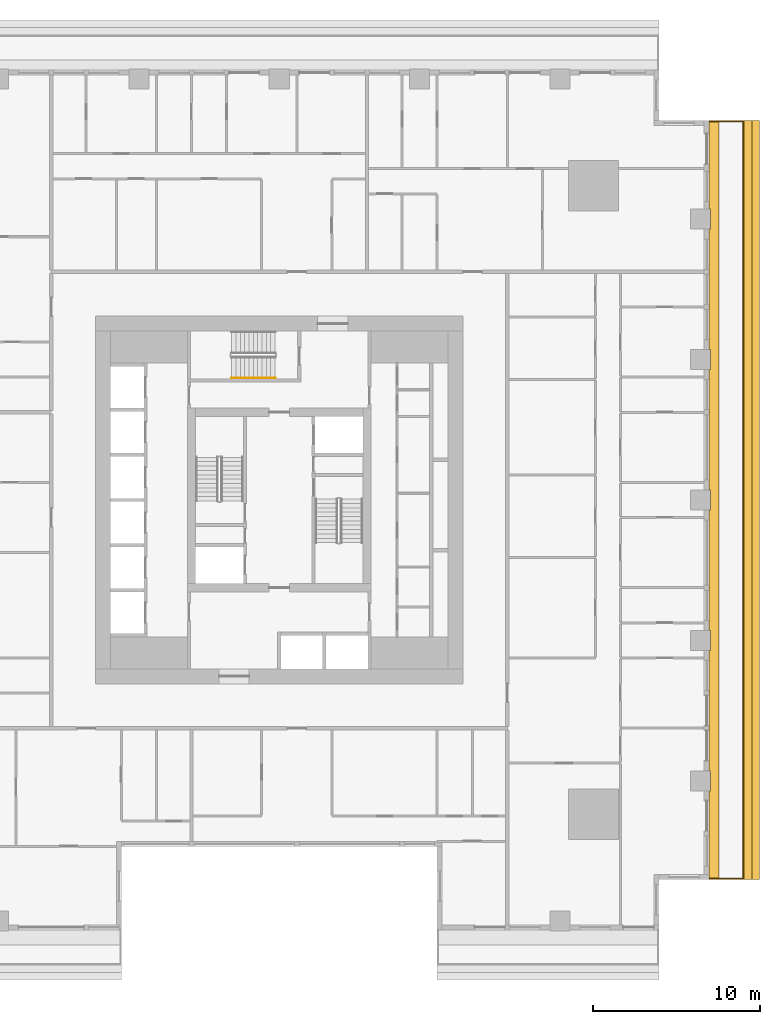
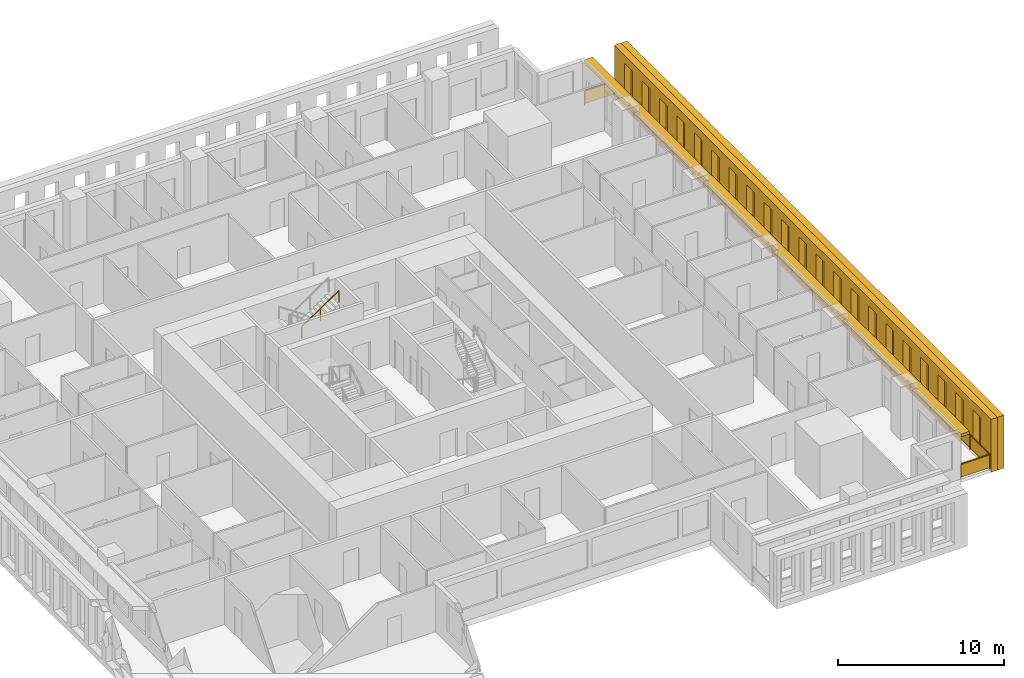
# One storey, part 13 of 15: 3 shading devices, 2 railings.
"""IFC4 building model written with IfcOpenShell, lengths in metres."""

from ifc_helpers import new_model, si_unit, direction, frame, origin, origin_2d, place, context, subcontext, project, spatial, polyline, rectangle, outline, extrude, material, layer, layer_set, type_object, element, save


model = new_model("IFC4")

# Units and contexts
model_context = context("Model", 3, precision=1e-05, world=origin(), true_north=direction((0.0, 1.0)))
body_context = subcontext(model_context, "Body", "Model", "MODEL_VIEW")
ifc_project = project(units=[si_unit("LENGTHUNIT", "METRE"), si_unit("AREAUNIT", "SQUARE_METRE"), si_unit("VOLUMEUNIT", "CUBIC_METRE"), si_unit("PLANEANGLEUNIT", "RADIAN"), si_unit("MASSUNIT", "GRAM", prefix="KILO")], contexts=[model_context])

# Site, building, storey
site_placement = place(None, origin())
site = spatial("IfcSite", under=ifc_project, at=site_placement, CompositionType="ELEMENT")
building_placement = place(site_placement, origin())
building = spatial("IfcBuilding", under=site, at=building_placement, Name="Khepri Terraces", CompositionType="ELEMENT")
storey_placement = place(building_placement, frame((0.0, 0.0, 54.300048828125)))
storey = spatial("IfcBuildingStorey", under=building, at=storey_placement, Name="L12", CompositionType="ELEMENT", Elevation=54.300048828125)

# Railings
ifc_material_1 = material(Name="Stainless steel grade 316", Category="steel")
railing_type_1 = type_object("IfcRailingType", Name="GRD-BAL-1100", PredefinedType="GUARDRAIL", material=ifc_material_1)
railing_1_placement = place(storey_placement, frame((25.719970703125, -22.669921875, 0.0)))
element("IfcRailing", 1, at=railing_1_placement, inside=storey, type_object=railing_type_1, Name="Balcony guard L12 E", PredefinedType="GUARDRAIL", context=body_context, shape_type="SweptSolid", body=[
    extrude(rectangle(XDim=0.050048828125, YDim=0.06005859375, at=origin_2d()), frame((0.0, 0.0, 1.070068359375), z_axis=(1.0, 0.0, 0.0), x_axis=(0.0, 1.0, 0.0)), (0.0, 0.0, 1.0), 2.050048828125),
    extrude(rectangle(XDim=2.0, YDim=0.011962890625, at=origin_2d()), frame((1.02490234375, 0.0, 0.10009765625), z_axis=(0.0, 0.0, 1.0), x_axis=(1.0, 0.0, 0.0)), (0.0, 0.0, 1.0), 0.93994140625),
    extrude(rectangle(XDim=0.050048828125, YDim=0.06005859375, at=origin_2d()), frame((2.050048828125, 0.0, 1.070068359375), z_axis=(0.0, 1.0, 0.0), x_axis=(-1.0, 0.0, 0.0)), (0.0, 0.0, 1.0), 45.33984375),
    extrude(rectangle(XDim=2.336181640625, YDim=0.011962890625, at=origin_2d()), frame((2.050048828125, 1.193115234375, 0.10009765625), z_axis=(0.0, 0.0, 1.0), x_axis=(0.0, 1.0, 0.0)), (0.0, 0.0, 1.0), 0.93994140625),
    extrude(rectangle(XDim=2.336181640625, YDim=0.011962890625, at=origin_2d()), frame((2.050048828125, 3.579345703125, 0.10009765625), z_axis=(0.0, 0.0, 1.0), x_axis=(0.0, 1.0, 0.0)), (0.0, 0.0, 1.0), 0.93994140625),
    extrude(rectangle(XDim=2.336181640625, YDim=0.011962890625, at=origin_2d()), frame((2.050048828125, 5.9658203125, 0.10009765625), z_axis=(0.0, 0.0, 1.0), x_axis=(0.0, 1.0, 0.0)), (0.0, 0.0, 1.0), 0.93994140625),
    extrude(rectangle(XDim=2.336181640625, YDim=0.011962890625, at=origin_2d()), frame((2.050048828125, 8.35205078125, 0.10009765625), z_axis=(0.0, 0.0, 1.0), x_axis=(0.0, 1.0, 0.0)), (0.0, 0.0, 1.0), 0.93994140625),
    extrude(rectangle(XDim=2.336181640625, YDim=0.011962890625, at=origin_2d()), frame((2.050048828125, 10.73828125, 0.10009765625), z_axis=(0.0, 0.0, 1.0), x_axis=(0.0, 1.0, 0.0)), (0.0, 0.0, 1.0), 0.93994140625),
    extrude(rectangle(XDim=2.336181640625, YDim=0.011962890625, at=origin_2d()), frame((2.050048828125, 13.124755859375, 0.10009765625), z_axis=(0.0, 0.0, 1.0), x_axis=(0.0, 1.0, 0.0)), (0.0, 0.0, 1.0), 0.93994140625),
    extrude(rectangle(XDim=2.336181640625, YDim=0.011962890625, at=origin_2d()), frame((2.050048828125, 15.510986328125, 0.10009765625), z_axis=(0.0, 0.0, 1.0), x_axis=(0.0, 1.0, 0.0)), (0.0, 0.0, 1.0), 0.93994140625),
    extrude(rectangle(XDim=2.336181640625, YDim=0.011962890625, at=origin_2d()), frame((2.050048828125, 17.897216796875, 0.10009765625), z_axis=(0.0, 0.0, 1.0), x_axis=(0.0, 1.0, 0.0)), (0.0, 0.0, 1.0), 0.93994140625),
    extrude(rectangle(XDim=2.336181640625, YDim=0.011962890625, at=origin_2d()), frame((2.050048828125, 20.28369140625, 0.10009765625), z_axis=(0.0, 0.0, 1.0), x_axis=(0.0, 1.0, 0.0)), (0.0, 0.0, 1.0), 0.93994140625),
    extrude(rectangle(XDim=2.336181640625, YDim=0.011962890625, at=origin_2d()), frame((2.050048828125, 22.669921875, 0.10009765625), z_axis=(0.0, 0.0, 1.0), x_axis=(0.0, 1.0, 0.0)), (0.0, 0.0, 1.0), 0.93994140625),
    extrude(rectangle(XDim=2.336181640625, YDim=0.011962890625, at=origin_2d()), frame((2.050048828125, 25.05615234375, 0.10009765625), z_axis=(0.0, 0.0, 1.0), x_axis=(0.0, 1.0, 0.0)), (0.0, 0.0, 1.0), 0.93994140625),
    extrude(rectangle(XDim=2.336181640625, YDim=0.011962890625, at=origin_2d()), frame((2.050048828125, 27.442626953125, 0.10009765625), z_axis=(0.0, 0.0, 1.0), x_axis=(0.0, 1.0, 0.0)), (0.0, 0.0, 1.0), 0.93994140625),
    extrude(rectangle(XDim=2.336181640625, YDim=0.011962890625, at=origin_2d()), frame((2.050048828125, 29.828857421875, 0.10009765625), z_axis=(0.0, 0.0, 1.0), x_axis=(0.0, 1.0, 0.0)), (0.0, 0.0, 1.0), 0.93994140625),
    extrude(rectangle(XDim=2.336181640625, YDim=0.011962890625, at=origin_2d()), frame((2.050048828125, 32.215087890625, 0.10009765625), z_axis=(0.0, 0.0, 1.0), x_axis=(0.0, 1.0, 0.0)), (0.0, 0.0, 1.0), 0.93994140625),
    extrude(rectangle(XDim=2.336181640625, YDim=0.011962890625, at=origin_2d()), frame((2.050048828125, 34.6015625, 0.10009765625), z_axis=(0.0, 0.0, 1.0), x_axis=(0.0, 1.0, 0.0)), (0.0, 0.0, 1.0), 0.93994140625),
    extrude(rectangle(XDim=2.336181640625, YDim=0.011962890625, at=origin_2d()), frame((2.050048828125, 36.98779296875, 0.10009765625), z_axis=(0.0, 0.0, 1.0), x_axis=(0.0, 1.0, 0.0)), (0.0, 0.0, 1.0), 0.93994140625),
    extrude(rectangle(XDim=2.336181640625, YDim=0.011962890625, at=origin_2d()), frame((2.050048828125, 39.3740234375, 0.10009765625), z_axis=(0.0, 0.0, 1.0), x_axis=(0.0, 1.0, 0.0)), (0.0, 0.0, 1.0), 0.93994140625),
    extrude(rectangle(XDim=2.336181640625, YDim=0.011962890625, at=origin_2d()), frame((2.050048828125, 41.760498046875, 0.10009765625), z_axis=(0.0, 0.0, 1.0), x_axis=(0.0, 1.0, 0.0)), (0.0, 0.0, 1.0), 0.93994140625),
    extrude(rectangle(XDim=2.336181640625, YDim=0.011962890625, at=origin_2d()), frame((2.050048828125, 44.146728515625, 0.10009765625), z_axis=(0.0, 0.0, 1.0), x_axis=(0.0, 1.0, 0.0)), (0.0, 0.0, 1.0), 0.93994140625),
    extrude(rectangle(XDim=0.050048828125, YDim=0.06005859375, at=origin_2d()), frame((2.050048828125, 45.33984375, 1.070068359375), z_axis=(-1.0, 0.0, 0.0), x_axis=(0.0, -1.0, 0.0)), (0.0, 0.0, 1.0), 2.050048828125),
    extrude(rectangle(XDim=2.0, YDim=0.011962890625, at=origin_2d()), frame((1.02490234375, 45.33984375, 0.10009765625), z_axis=(0.0, 0.0, 1.0), x_axis=(-1.0, 0.0, 0.0)), (0.0, 0.0, 1.0), 0.93994140625),
    extrude(rectangle(XDim=0.050048828125, YDim=0.050048828125, at=origin_2d()), origin(), (0.0, 0.0, 1.0), 1.0400390625),
    extrude(rectangle(XDim=0.050048828125, YDim=0.050048828125, at=origin_2d()), frame((2.050048828125, 0.0, 0.0)), (0.0, 0.0, 1.0), 1.0400390625),
    extrude(rectangle(XDim=0.050048828125, YDim=0.050048828125, at=origin_2d()), frame((2.050048828125, 2.38623046875, 0.0)), (0.0, 0.0, 1.0), 1.0400390625),
    extrude(rectangle(XDim=0.050048828125, YDim=0.050048828125, at=origin_2d()), frame((2.050048828125, 4.772705078125, 0.0)), (0.0, 0.0, 1.0), 1.0400390625),
    extrude(rectangle(XDim=0.050048828125, YDim=0.050048828125, at=origin_2d()), frame((2.050048828125, 7.158935546875, 0.0)), (0.0, 0.0, 1.0), 1.0400390625),
    extrude(rectangle(XDim=0.050048828125, YDim=0.050048828125, at=origin_2d()), frame((2.050048828125, 9.545166015625, 0.0)), (0.0, 0.0, 1.0), 1.0400390625),
    extrude(rectangle(XDim=0.050048828125, YDim=0.050048828125, at=origin_2d()), frame((2.050048828125, 11.931640625, 0.0)), (0.0, 0.0, 1.0), 1.0400390625),
    extrude(rectangle(XDim=0.050048828125, YDim=0.050048828125, at=origin_2d()), frame((2.050048828125, 14.31787109375, 0.0)), (0.0, 0.0, 1.0), 1.0400390625),
    extrude(rectangle(XDim=0.050048828125, YDim=0.050048828125, at=origin_2d()), frame((2.050048828125, 16.7041015625, 0.0)), (0.0, 0.0, 1.0), 1.0400390625),
    extrude(rectangle(XDim=0.050048828125, YDim=0.050048828125, at=origin_2d()), frame((2.050048828125, 19.090576171875, 0.0)), (0.0, 0.0, 1.0), 1.0400390625),
    extrude(rectangle(XDim=0.050048828125, YDim=0.050048828125, at=origin_2d()), frame((2.050048828125, 21.476806640625, 0.0)), (0.0, 0.0, 1.0), 1.0400390625),
    extrude(rectangle(XDim=0.050048828125, YDim=0.050048828125, at=origin_2d()), frame((2.050048828125, 23.863037109375, 0.0)), (0.0, 0.0, 1.0), 1.0400390625),
    extrude(rectangle(XDim=0.050048828125, YDim=0.050048828125, at=origin_2d()), frame((2.050048828125, 26.249267578125, 0.0)), (0.0, 0.0, 1.0), 1.0400390625),
    extrude(rectangle(XDim=0.050048828125, YDim=0.050048828125, at=origin_2d()), frame((2.050048828125, 28.6357421875, 0.0)), (0.0, 0.0, 1.0), 1.0400390625),
    extrude(rectangle(XDim=0.050048828125, YDim=0.050048828125, at=origin_2d()), frame((2.050048828125, 31.02197265625, 0.0)), (0.0, 0.0, 1.0), 1.0400390625),
    extrude(rectangle(XDim=0.050048828125, YDim=0.050048828125, at=origin_2d()), frame((2.050048828125, 33.408203125, 0.0)), (0.0, 0.0, 1.0), 1.0400390625),
    extrude(rectangle(XDim=0.050048828125, YDim=0.050048828125, at=origin_2d()), frame((2.050048828125, 35.794677734375, 0.0)), (0.0, 0.0, 1.0), 1.0400390625),
    extrude(rectangle(XDim=0.050048828125, YDim=0.050048828125, at=origin_2d()), frame((2.050048828125, 38.180908203125, 0.0)), (0.0, 0.0, 1.0), 1.0400390625),
    extrude(rectangle(XDim=0.050048828125, YDim=0.050048828125, at=origin_2d()), frame((2.050048828125, 40.567138671875, 0.0)), (0.0, 0.0, 1.0), 1.0400390625),
    extrude(rectangle(XDim=0.050048828125, YDim=0.050048828125, at=origin_2d()), frame((2.050048828125, 42.95361328125, 0.0)), (0.0, 0.0, 1.0), 1.0400390625),
    extrude(rectangle(XDim=0.050048828125, YDim=0.050048828125, at=origin_2d()), frame((2.050048828125, 45.33984375, 0.0)), (0.0, 0.0, 1.0), 1.0400390625),
    extrude(rectangle(XDim=0.050048828125, YDim=0.050048828125, at=origin_2d()), frame((0.0, 45.33984375, 0.0)), (0.0, 0.0, 1.0), 1.0400390625),
])
ifc_material_2 = material(Name="Stainless steel 316", Category="steel")
railing_type_2 = type_object("IfcRailingType", Name="RL-CORE-HANDRAIL", PredefinedType="HANDRAIL", material=ifc_material_2)
railing_2_placement = place(storey_placement, frame((-2.85009765625, 7.300048828125, 2.127197265625)))
element("IfcRailing", 2, at=railing_2_placement, inside=storey, type_object=railing_type_2, Name="L12 ST-3 stair handrail 2", PredefinedType="HANDRAIL", context=body_context, shape_type="SweptSolid", body=[
    extrude(rectangle(XDim=0.050048828125, YDim=0.050048828125, at=origin_2d()), frame((0.0, 0.0, 0.875), z_axis=(0.826240473404, 0.0, 0.563317565952), x_axis=(0.0, 1.0, 0.0)), (0.0, 0.0, 1.0), 3.14697265625),
    extrude(rectangle(XDim=0.050048828125, YDim=0.050048828125, at=origin_2d()), origin(), (0.0, 0.0, 1.0), 0.849853515625),
    extrude(rectangle(XDim=0.050048828125, YDim=0.050048828125, at=origin_2d()), frame((1.300048828125, 0.0, 0.88623046875)), (0.0, 0.0, 1.0), 0.849853515625),
    extrude(rectangle(XDim=0.050048828125, YDim=0.050048828125, at=origin_2d()), frame((2.60009765625, 0.0, 1.772705078125)), (0.0, 0.0, 1.0), 0.849853515625),
])

# Shading devices
ifc_material_3 = material(Name="Precast concrete C50/60 warm stone", Category="masonry")
shading_device_type_1 = type_object("IfcShadingDeviceType", Name="SCR-CELL-INNER-450", PredefinedType="USERDEFINED", material=ifc_material_3)
shading_device_1_placement = place(storey_placement, frame((27.820068359375, -22.719970703125, -0.25), z_axis=(1.0, 0.0, 0.0), x_axis=(0.0, 1.0, 0.0)))
element("IfcShadingDevice", 3, at=shading_device_1_placement, inside=storey, type_object=shading_device_type_1, Name="Cell screen L12 E in", ObjectType="SCREEN", PredefinedType="USERDEFINED", context=body_context, shape_type="SweptSolid", body=[
    extrude(outline(polyline([(0.0, 0.0), (45.43994140625, 0.0), (45.43994140625, 3.89990234375), (0.0, 3.89990234375), (0.0, 0.0)]), holes=[polyline([(1.24755859375, 0.699951171875), (2.1923828125, 0.699951171875), (2.1923828125, 3.300048828125), (1.24755859375, 3.300048828125), (1.24755859375, 0.699951171875)]), polyline([(3.347412109375, 0.699951171875), (4.29248046875, 0.699951171875), (4.29248046875, 3.300048828125), (3.347412109375, 3.300048828125), (3.347412109375, 0.699951171875)]), polyline([(5.447509765625, 0.699951171875), (6.392578125, 0.699951171875), (6.392578125, 3.300048828125), (5.447509765625, 3.300048828125), (5.447509765625, 0.699951171875)]), polyline([(7.547607421875, 0.699951171875), (8.492431640625, 0.699951171875), (8.492431640625, 3.300048828125), (7.547607421875, 3.300048828125), (7.547607421875, 0.699951171875)]), polyline([(9.6474609375, 0.699951171875), (10.592529296875, 0.699951171875), (10.592529296875, 3.300048828125), (9.6474609375, 3.300048828125), (9.6474609375, 0.699951171875)]), polyline([(11.74755859375, 0.699951171875), (12.6923828125, 0.699951171875), (12.6923828125, 3.300048828125), (11.74755859375, 3.300048828125), (11.74755859375, 0.699951171875)]), polyline([(13.847412109375, 0.699951171875), (14.79248046875, 0.699951171875), (14.79248046875, 3.300048828125), (13.847412109375, 3.300048828125), (13.847412109375, 0.699951171875)]), polyline([(15.947509765625, 0.699951171875), (16.892578125, 0.699951171875), (16.892578125, 3.300048828125), (15.947509765625, 3.300048828125), (15.947509765625, 0.699951171875)]), polyline([(18.047607421875, 0.699951171875), (18.992431640625, 0.699951171875), (18.992431640625, 3.300048828125), (18.047607421875, 3.300048828125), (18.047607421875, 0.699951171875)]), polyline([(20.1474609375, 0.699951171875), (21.092529296875, 0.699951171875), (21.092529296875, 3.300048828125), (20.1474609375, 3.300048828125), (20.1474609375, 0.699951171875)]), polyline([(22.24755859375, 0.699951171875), (23.1923828125, 0.699951171875), (23.1923828125, 3.300048828125), (22.24755859375, 3.300048828125), (22.24755859375, 0.699951171875)]), polyline([(24.347412109375, 0.699951171875), (25.29248046875, 0.699951171875), (25.29248046875, 3.300048828125), (24.347412109375, 3.300048828125), (24.347412109375, 0.699951171875)]), polyline([(26.447509765625, 0.699951171875), (27.392578125, 0.699951171875), (27.392578125, 3.300048828125), (26.447509765625, 3.300048828125), (26.447509765625, 0.699951171875)]), polyline([(28.547607421875, 0.699951171875), (29.492431640625, 0.699951171875), (29.492431640625, 3.300048828125), (28.547607421875, 3.300048828125), (28.547607421875, 0.699951171875)]), polyline([(30.6474609375, 0.699951171875), (31.592529296875, 0.699951171875), (31.592529296875, 3.300048828125), (30.6474609375, 3.300048828125), (30.6474609375, 0.699951171875)]), polyline([(32.74755859375, 0.699951171875), (33.6923828125, 0.699951171875), (33.6923828125, 3.300048828125), (32.74755859375, 3.300048828125), (32.74755859375, 0.699951171875)]), polyline([(34.847412109375, 0.699951171875), (35.79248046875, 0.699951171875), (35.79248046875, 3.300048828125), (34.847412109375, 3.300048828125), (34.847412109375, 0.699951171875)]), polyline([(36.947509765625, 0.699951171875), (37.892578125, 0.699951171875), (37.892578125, 3.300048828125), (36.947509765625, 3.300048828125), (36.947509765625, 0.699951171875)]), polyline([(39.047607421875, 0.699951171875), (39.992431640625, 0.699951171875), (39.992431640625, 3.300048828125), (39.047607421875, 3.300048828125), (39.047607421875, 0.699951171875)]), polyline([(41.1474609375, 0.699951171875), (42.092529296875, 0.699951171875), (42.092529296875, 3.300048828125), (41.1474609375, 3.300048828125), (41.1474609375, 0.699951171875)]), polyline([(43.24755859375, 0.699951171875), (44.1923828125, 0.699951171875), (44.1923828125, 3.300048828125), (43.24755859375, 3.300048828125), (43.24755859375, 0.699951171875)])]), origin(), (0.0, 0.0, 1.0), 0.449951171875),
])
shading_device_type_2 = type_object("IfcShadingDeviceType", Name="SCR-CELL-OUTER-450", PredefinedType="USERDEFINED", material=ifc_material_3)
shading_device_2_placement = place(storey_placement, frame((28.27001953125, -22.719970703125, -0.25), z_axis=(1.0, 0.0, 0.0), x_axis=(0.0, 1.0, 0.0)))
element("IfcShadingDevice", 4, at=shading_device_2_placement, inside=storey, type_object=shading_device_type_2, Name="Cell screen L12 E out", ObjectType="SCREEN", PredefinedType="USERDEFINED", context=body_context, shape_type="SweptSolid", body=[
    extrude(outline(polyline([(0.0, 0.0), (45.43994140625, 0.0), (45.43994140625, 3.89990234375), (0.0, 3.89990234375), (0.0, 0.0)]), holes=[polyline([(0.8974609375, 0.449951171875), (2.54248046875, 0.449951171875), (2.54248046875, 3.550048828125), (0.8974609375, 3.550048828125), (0.8974609375, 0.449951171875)]), polyline([(2.99755859375, 0.449951171875), (4.642578125, 0.449951171875), (4.642578125, 3.550048828125), (2.99755859375, 3.550048828125), (2.99755859375, 0.449951171875)]), polyline([(5.097412109375, 0.449951171875), (6.742431640625, 0.449951171875), (6.742431640625, 3.550048828125), (5.097412109375, 3.550048828125), (5.097412109375, 0.449951171875)]), polyline([(7.197509765625, 0.449951171875), (8.842529296875, 0.449951171875), (8.842529296875, 3.550048828125), (7.197509765625, 3.550048828125), (7.197509765625, 0.449951171875)]), polyline([(9.297607421875, 0.449951171875), (10.9423828125, 0.449951171875), (10.9423828125, 3.550048828125), (9.297607421875, 3.550048828125), (9.297607421875, 0.449951171875)]), polyline([(11.3974609375, 0.449951171875), (13.04248046875, 0.449951171875), (13.04248046875, 3.550048828125), (11.3974609375, 3.550048828125), (11.3974609375, 0.449951171875)]), polyline([(13.49755859375, 0.449951171875), (15.142578125, 0.449951171875), (15.142578125, 3.550048828125), (13.49755859375, 3.550048828125), (13.49755859375, 0.449951171875)]), polyline([(15.597412109375, 0.449951171875), (17.242431640625, 0.449951171875), (17.242431640625, 3.550048828125), (15.597412109375, 3.550048828125), (15.597412109375, 0.449951171875)]), polyline([(17.697509765625, 0.449951171875), (19.342529296875, 0.449951171875), (19.342529296875, 3.550048828125), (17.697509765625, 3.550048828125), (17.697509765625, 0.449951171875)]), polyline([(19.797607421875, 0.449951171875), (21.4423828125, 0.449951171875), (21.4423828125, 3.550048828125), (19.797607421875, 3.550048828125), (19.797607421875, 0.449951171875)]), polyline([(21.8974609375, 0.449951171875), (23.54248046875, 0.449951171875), (23.54248046875, 3.550048828125), (21.8974609375, 3.550048828125), (21.8974609375, 0.449951171875)]), polyline([(23.99755859375, 0.449951171875), (25.642578125, 0.449951171875), (25.642578125, 3.550048828125), (23.99755859375, 3.550048828125), (23.99755859375, 0.449951171875)]), polyline([(26.097412109375, 0.449951171875), (27.742431640625, 0.449951171875), (27.742431640625, 3.550048828125), (26.097412109375, 3.550048828125), (26.097412109375, 0.449951171875)]), polyline([(28.197509765625, 0.449951171875), (29.842529296875, 0.449951171875), (29.842529296875, 3.550048828125), (28.197509765625, 3.550048828125), (28.197509765625, 0.449951171875)]), polyline([(30.297607421875, 0.449951171875), (31.9423828125, 0.449951171875), (31.9423828125, 3.550048828125), (30.297607421875, 3.550048828125), (30.297607421875, 0.449951171875)]), polyline([(32.3974609375, 0.449951171875), (34.04248046875, 0.449951171875), (34.04248046875, 3.550048828125), (32.3974609375, 3.550048828125), (32.3974609375, 0.449951171875)]), polyline([(34.49755859375, 0.449951171875), (36.142578125, 0.449951171875), (36.142578125, 3.550048828125), (34.49755859375, 3.550048828125), (34.49755859375, 0.449951171875)]), polyline([(36.597412109375, 0.449951171875), (38.242431640625, 0.449951171875), (38.242431640625, 3.550048828125), (36.597412109375, 3.550048828125), (36.597412109375, 0.449951171875)]), polyline([(38.697509765625, 0.449951171875), (40.342529296875, 0.449951171875), (40.342529296875, 3.550048828125), (38.697509765625, 3.550048828125), (38.697509765625, 0.449951171875)]), polyline([(40.797607421875, 0.449951171875), (42.4423828125, 0.449951171875), (42.4423828125, 3.550048828125), (40.797607421875, 3.550048828125), (40.797607421875, 0.449951171875)]), polyline([(42.8974609375, 0.449951171875), (44.54248046875, 0.449951171875), (44.54248046875, 3.550048828125), (42.8974609375, 3.550048828125), (42.8974609375, 0.449951171875)])]), origin(), (0.0, 0.0, 1.0), 0.449951171875),
])
ifc_layer = layer(ifc_material_3, 0.199951171875, Name="Precast concrete C50/60 warm stone", Category="masonry")
ifc_layer_set = layer_set([ifc_layer], Name="Precast concrete C50/60 warm stone")
shading_device_type_3 = type_object("IfcShadingDeviceType", Name="SSH-BAND-STONE-200-N", PredefinedType="USERDEFINED", material=ifc_layer_set)
shading_device_3_placement = place(storey_placement, frame((0.0, 0.0, 3.099853515625)))
element("IfcShadingDevice", 5, at=shading_device_3_placement, inside=storey, type_object=shading_device_type_3, Name="Sunshade band L12 E", ObjectType="SUNSHADE", PredefinedType="USERDEFINED", context=body_context, shape_type="SweptSolid", body=[
    extrude(outline(polyline([(25.719970703125, -17.39990234375), (25.719970703125, -22.719970703125), (26.320068359375, -22.719970703125), (26.320068359375, 22.719970703125), (25.719970703125, 22.719970703125), (25.719970703125, 17.39990234375), (25.800048828125, 17.39990234375), (25.800048828125, 16.199951171875), (25.719970703125, 16.199951171875), (25.719970703125, 9.0), (25.800048828125, 9.0), (25.800048828125, 7.800048828125), (25.719970703125, 7.800048828125), (25.719970703125, 0.60009765625), (25.800048828125, 0.60009765625), (25.800048828125, -0.60009765625), (25.719970703125, -0.60009765625), (25.719970703125, -7.800048828125), (25.800048828125, -7.800048828125), (25.800048828125, -9.0), (25.719970703125, -9.0), (25.719970703125, -16.199951171875), (25.800048828125, -16.199951171875), (25.800048828125, -17.39990234375), (25.719970703125, -17.39990234375)])), origin(), (0.0, 0.0, 1.0), 0.2001953125),
])

save(model, "model.ifc")
